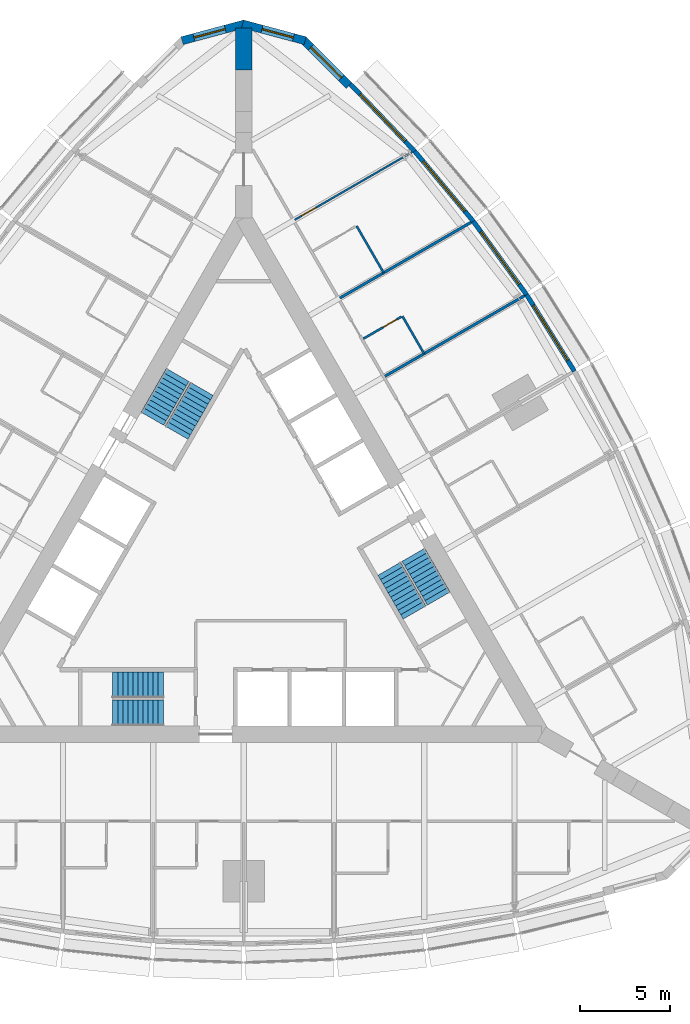
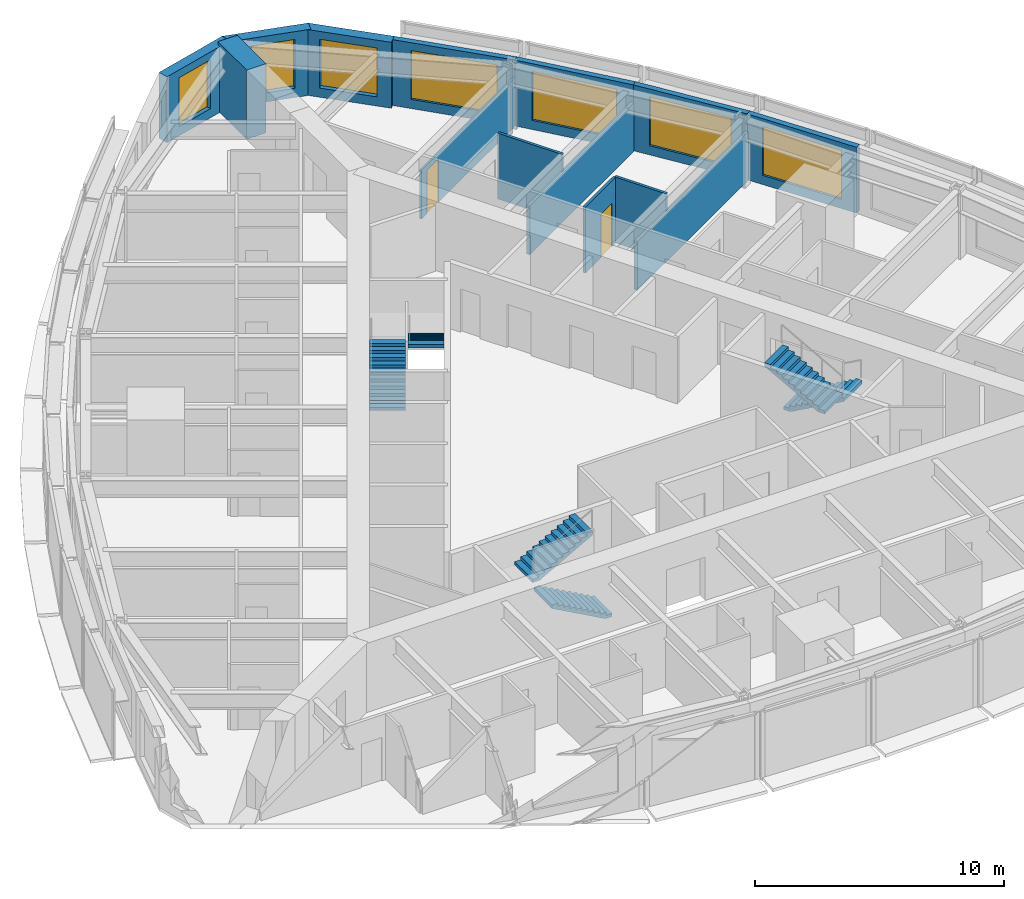
# One storey, part 13 of 14: 14 walls, 7 windows, 6 stair flights, 2 doors, 9 openings, 3 elements without a shape of their own.
"""IFC4 building model written with IfcOpenShell, lengths in metres."""

from ifc_helpers import new_model, si_unit, direction, frame, frame_2d, origin, place, context, subcontext, project, spatial, polyline, rectangle, outline, extrude, material, layer, layer_set, type_object, element, fill, aggregate, save


model = new_model("IFC4")

# Units and contexts
model_context = context("Model", 3, precision=1e-05, world=origin(), true_north=direction((0.0, 1.0)))
body_context = subcontext(model_context, "Body", "Model", "MODEL_VIEW")
ifc_project = project(units=[si_unit("LENGTHUNIT", "METRE"), si_unit("AREAUNIT", "SQUARE_METRE"), si_unit("VOLUMEUNIT", "CUBIC_METRE"), si_unit("PLANEANGLEUNIT", "RADIAN"), si_unit("MASSUNIT", "GRAM", prefix="KILO")], contexts=[model_context])

# Site, building, storey
site_placement = place(None, origin())
site = spatial("IfcSite", under=ifc_project, at=site_placement, CompositionType="ELEMENT")
building_placement = place(site_placement, origin())
building = spatial("IfcBuilding", under=site, at=building_placement, Name="Trikona Tower", CompositionType="ELEMENT")
storey_placement = place(building_placement, frame((0.0, 0.0, 114.699951171875)))
storey = spatial("IfcBuildingStorey", under=building, at=storey_placement, Name="L29", CompositionType="ELEMENT", Elevation=114.699951171875)

# Wall
ifc_material_1 = material(Name="Metal stud and cement board", Category="gypsum")
ifc_layer_1 = layer(ifc_material_1, 0.1201171875)
ifc_layer_set_1 = layer_set([ifc_layer_1], Name="Bathroom wall 120")
wall_type_1 = type_object("IfcWallType", Name="Bathroom wall 120", PredefinedType="PLUMBINGWALL", material=ifc_layer_set_1)
wall_1_placement = place(storey_placement, frame((9.993408203125, 11.543212890625, 0.0), z_axis=(0.0, 0.0, 1.0), x_axis=(-0.500001309137, 0.866024647952, 0.0)))
element("IfcWall", 1, at=wall_1_placement, inside=storey, type_object=wall_type_1, Name="Bathroom wall 2911", PredefinedType="PLUMBINGWALL", context=body_context, shape_type="SweptSolid", body=[
    extrude(rectangle(XDim=2.39990234375, YDim=0.1201171875, at=frame_2d((1.199951171875, 0.0))), origin(), (0.0, 0.0, 1.0), 3.235107421875),
])

# Wall, opening, door
wall_2_placement = place(storey_placement, frame((6.62841796875, 12.37158203125, 0.0), z_axis=(0.0, 0.0, 1.0), x_axis=(0.866005645448, 0.500034220881, 0.0)))
wall_2 = element("IfcWall", 2, at=wall_2_placement, inside=storey, type_object=wall_type_1, Name="Bathroom wall 2911", PredefinedType="PLUMBINGWALL", context=body_context, shape_type="SweptSolid", body=[
    extrude(rectangle(XDim=2.440185546875, YDim=0.1201171875, at=frame_2d((1.22021484375, 0.0))), origin(), (0.0, 0.0, 1.0), 3.235107421875),
])
opening_1_placement = place(wall_2_placement, frame((1.25, 0.0, 0.0)))
opening_1 = element("IfcOpeningElement", 3, at=opening_1_placement, cuts=wall_2, Name="Opening D2", PredefinedType="OPENING", context=body_context, shape_type="SweptSolid", body=[
    extrude(rectangle(XDim=0.89990234375, YDim=2.1298828125, at=frame_2d((0.449951171875, 1.06494140625))), frame((0.0, 0.070068359375, 0.0), z_axis=(0.0, -1.0, 0.0), x_axis=(1.0, 0.0, 0.0)), (0.0, 0.0, 1.0), 0.14013671875),
])
ifc_material_2 = material(Name="Steel door frame with solid-core timber leaf", Category="steel")
door_type_1 = type_object("IfcDoorType", Name="Bathroom door 900x2130", OperationType="SLIDING_TO_LEFT", PredefinedType="DOOR", material=ifc_material_2)
door_1_placement = place(opening_1_placement, origin())
door_1 = element("IfcDoor", 4, at=door_1_placement, inside=storey, type_object=door_type_1, Name="Bathroom door 2911", OperationType="SLIDING_TO_LEFT", OverallHeight=2.1298828125, OverallWidth=0.89990234375, PredefinedType="DOOR", context=body_context, shape_type="SweptSolid", body=[
    extrude(rectangle(XDim=0.89990234375, YDim=2.1298828125, at=frame_2d((0.449951171875, 1.06494140625))), frame((0.0, 0.02490234375, 0.0), z_axis=(0.0, -1.0, 0.0), x_axis=(1.0, 0.0, 0.0)), (0.0, 0.0, 1.0), 0.050048828125),
])
fill(opening_1, door_1)

# Wall
wall_3_placement = place(storey_placement, frame((7.75341796875, 16.0234375, 0.0), z_axis=(0.0, 0.0, 1.0), x_axis=(-0.499990139034, 0.866031096941, 0.0)))
element("IfcWall", 5, at=wall_3_placement, inside=storey, type_object=wall_type_1, Name="Bathroom wall 2912.1", PredefinedType="PLUMBINGWALL", context=body_context, shape_type="SweptSolid", body=[
    extrude(rectangle(XDim=3.0, YDim=0.1201171875, at=frame_2d((1.5, 0.0))), origin(), (0.0, 0.0, 1.0), 3.235107421875),
])

# Wall, opening, window
ifc_material_3 = material(Name="Brick-faced precast concrete", Category="masonry")
ifc_layer_2 = layer(ifc_material_3, 0.449951171875)
ifc_layer_set_2 = layer_set([ifc_layer_2], Name="Brick-faced corner wall 450")
wall_type_2 = type_object("IfcWallType", Name="Brick-faced corner wall 450", PredefinedType="SOLIDWALL", material=ifc_layer_set_2)
wall_4_placement = place(storey_placement, frame((5.8408203125, 26.39892578125, 0.0), z_axis=(0.0, 0.0, 1.0), x_axis=(-0.707106781187, 0.707106781187, 0.0)))
wall_4 = element("IfcWall", 6, at=wall_4_placement, inside=storey, type_object=wall_type_2, Name="External wall L29-20", PredefinedType="SOLIDWALL", context=body_context, shape_type="SweptSolid", body=[
    extrude(rectangle(XDim=3.586181640625, YDim=0.449951171875, at=frame_2d((1.79296875, 0.0))), origin(), (0.0, 0.0, 1.0), 3.235107421875),
])
opening_2_placement = place(wall_4_placement, frame((0.59326171875, 0.0, 0.449951171875)))
opening_2 = element("IfcOpeningElement", 7, at=opening_2_placement, cuts=wall_4, Name="Opening W2424", PredefinedType="OPENING", context=body_context, shape_type="SweptSolid", body=[
    extrude(rectangle(XDim=2.39990234375, YDim=2.39990234375, at=frame_2d((1.199951171875, 1.199951171875))), frame((0.0, 0.23486328125, 0.0), z_axis=(0.0, -1.0, 0.0), x_axis=(1.0, 0.0, 0.0)), (0.0, 0.0, 1.0), 0.469970703125),
])
ifc_material_4 = material(Name="Aluminium-framed double glazing", Category="aluminium")
window_type_1 = type_object("IfcWindowType", Name="Window 2400x2400", PartitioningType="SINGLE_PANEL", PredefinedType="WINDOW", material=ifc_material_4)
window_1_placement = place(opening_2_placement, origin())
window_1 = element("IfcWindow", 8, at=window_1_placement, inside=storey, type_object=window_type_1, Name="Window 2912", OverallHeight=2.39990234375, OverallWidth=2.39990234375, PartitioningType="SINGLE_PANEL", PredefinedType="WINDOW", context=body_context, shape_type="SweptSolid", body=[
    extrude(rectangle(XDim=2.39990234375, YDim=2.39990234375, at=frame_2d((1.199951171875, 1.199951171875))), frame((0.0, 0.030029296875, 0.0), z_axis=(0.0, -1.0, 0.0), x_axis=(1.0, 0.0, 0.0)), (0.0, 0.0, 1.0), 0.06005859375),
])
fill(opening_2, window_1)

wall_5_placement = place(storey_placement, frame((3.406005859375, 28.876708984375, 0.0), z_axis=(0.0, 0.0, 1.0), x_axis=(-0.965924653531, 0.258823421857, 0.0)))
wall_5 = element("IfcWall", 9, at=wall_5_placement, inside=storey, type_object=wall_type_2, Name="External wall L29-21", PredefinedType="SOLIDWALL", context=body_context, shape_type="SweptSolid", body=[
    extrude(outline(polyline([(3.58642578125, 0.22509765625), (3.526611328125, 0.22509765625), (3.035400390625, 0.09326171875), (3.0, 0.22509765625), (0.0, 0.22509765625), (0.0, -0.22509765625), (3.58642578125, -0.22509765625), (3.58642578125, 0.22509765625)])), origin(), (0.0, 0.0, 1.0), 3.235107421875),
])
opening_3_placement = place(wall_5_placement, frame((0.6748046875, 0.0, 0.449951171875)))
opening_3 = element("IfcOpeningElement", 10, at=opening_3_placement, cuts=wall_5, Name="Opening W1824", PredefinedType="OPENING", context=body_context, shape_type="SweptSolid", body=[
    extrude(rectangle(XDim=1.800048828125, YDim=2.39990234375, at=frame_2d((0.89990234375, 1.199951171875))), frame((0.0, 0.23486328125, 0.0), z_axis=(0.0, -1.0, 0.0), x_axis=(1.0, 0.0, 0.0)), (0.0, 0.0, 1.0), 0.469970703125),
])
ifc_material_5 = material(Name="Aluminium-framed double glazing", Category="aluminium")
window_type_2 = type_object("IfcWindowType", Name="Window 1800x2400", PartitioningType="SINGLE_PANEL", PredefinedType="WINDOW", material=ifc_material_5)
window_2_placement = place(opening_3_placement, origin())
window_2 = element("IfcWindow", 11, at=window_2_placement, inside=storey, type_object=window_type_2, Name="Window 2912", OverallHeight=2.39990234375, OverallWidth=1.800048828125, PartitioningType="SINGLE_PANEL", PredefinedType="WINDOW", context=body_context, shape_type="SweptSolid", body=[
    extrude(rectangle(XDim=1.800048828125, YDim=2.39990234375, at=frame_2d((0.89990234375, 1.199951171875))), frame((0.0, 0.030029296875, 0.0), z_axis=(0.0, -1.0, 0.0), x_axis=(1.0, 0.0, 0.0)), (0.0, 0.0, 1.0), 0.06005859375),
])
fill(opening_3, window_2)

wall_6_placement = place(storey_placement, frame((0.05810546875, 29.804931640625, 0.0), z_axis=(0.0, 0.0, 1.0), x_axis=(-0.965924653531, -0.258823421857, 0.0)))
wall_6 = element("IfcWall", 12, at=wall_6_placement, inside=storey, type_object=wall_type_2, Name="External wall L29-22", PredefinedType="SOLIDWALL", context=body_context, shape_type="SweptSolid", body=[
    extrude(outline(polyline([(3.58642578125, 0.22509765625), (0.58642578125, 0.22509765625), (0.551025390625, 0.09326171875), (0.0595703125, 0.22509765625), (0.0, 0.22509765625), (0.0, -0.22509765625), (3.58642578125, -0.22509765625), (3.58642578125, 0.22509765625)])), origin(), (0.0, 0.0, 1.0), 3.235107421875),
])
opening_4_placement = place(wall_6_placement, frame((1.111328125, 0.0, 0.449951171875)))
opening_4 = element("IfcOpeningElement", 13, at=opening_4_placement, cuts=wall_6, Name="Opening W1824", PredefinedType="OPENING", context=body_context, shape_type="SweptSolid", body=[
    extrude(rectangle(XDim=1.800048828125, YDim=2.39990234375, at=frame_2d((0.89990234375, 1.199951171875))), frame((0.0, 0.23486328125, 0.0), z_axis=(0.0, -1.0, 0.0), x_axis=(1.0, 0.0, 0.0)), (0.0, 0.0, 1.0), 0.469970703125),
])
window_3_placement = place(opening_4_placement, origin())
window_3 = element("IfcWindow", 14, at=window_3_placement, inside=storey, type_object=window_type_2, Name="Window 2913", OverallHeight=2.39990234375, OverallWidth=1.800048828125, PartitioningType="SINGLE_PANEL", PredefinedType="WINDOW", context=body_context, shape_type="SweptSolid", body=[
    extrude(rectangle(XDim=1.800048828125, YDim=2.39990234375, at=frame_2d((0.89990234375, 1.199951171875))), frame((0.0, 0.030029296875, 0.0), z_axis=(0.0, -1.0, 0.0), x_axis=(1.0, 0.0, 0.0)), (0.0, 0.0, 1.0), 0.06005859375),
])
fill(opening_4, window_3)

# Wall
ifc_material_6 = material(Name="Concrete f'c 10000 psi", Category="concrete")
ifc_layer_3 = layer(ifc_material_6, 0.89990234375)
ifc_layer_set_3 = layer_set([ifc_layer_3], Name="Buttress wall 900")
wall_type_3 = type_object("IfcWallType", Name="Buttress wall 900", PredefinedType="SHEAR", material=ifc_layer_set_3)
wall_7_placement = place(storey_placement, frame((0.0, 27.2626953125, 0.0), z_axis=(0.0, 0.0, 1.0), x_axis=(0.0, 1.0, 0.0)))
element("IfcWall", 15, at=wall_7_placement, inside=storey, type_object=wall_type_3, Name="Buttress wall 2 part 4", PredefinedType="SHEAR", context=body_context, shape_type="SweptSolid", body=[
    extrude(rectangle(XDim=2.3095703125, YDim=0.89990234375, at=frame_2d((1.15478515625, 0.0))), origin(), (0.0, 0.0, 1.0), 3.400146484375),
])

# Wall, opening, window
ifc_material_7 = material(Name="Insulated precast concrete spandrel panel", Category="concrete")
ifc_layer_4 = layer(ifc_material_7, 0.25)
ifc_layer_set_4 = layer_set([ifc_layer_4], Name="Inner skin wall 250")
wall_type_4 = type_object("IfcWallType", Name="Inner skin wall 250", PredefinedType="STANDARD", material=ifc_layer_set_4)
wall_8_placement = place(storey_placement, frame((18.31884765625, 10.5712890625, 0.0), z_axis=(0.0, 0.0, 1.0), x_axis=(-0.529990167382, 0.84800378683, 0.0)))
wall_8 = element("IfcWall", 16, at=wall_8_placement, inside=storey, type_object=wall_type_4, Name="External wall L29-16", PredefinedType="STANDARD", context=body_context, shape_type="SweptSolid", body=[
    extrude(rectangle(XDim=5.003173828125, YDim=0.25, at=frame_2d((2.50146484375, 0.0))), origin(), (0.0, 0.0, 1.0), 3.235107421875),
])
opening_5_placement = place(wall_8_placement, frame((0.701416015625, 0.0, 0.449951171875)))
opening_5 = element("IfcOpeningElement", 17, at=opening_5_placement, cuts=wall_8, Name="Opening W3624", PredefinedType="OPENING", context=body_context, shape_type="SweptSolid", body=[
    extrude(rectangle(XDim=3.60009765625, YDim=2.39990234375, at=frame_2d((1.800048828125, 1.199951171875))), frame((0.0, 0.135009765625, 0.0), z_axis=(0.0, -1.0, 0.0), x_axis=(1.0, 0.0, 0.0)), (0.0, 0.0, 1.0), 0.27001953125),
])
ifc_material_8 = material(Name="Aluminium-framed double glazing", Category="aluminium")
window_type_3 = type_object("IfcWindowType", Name="Window 3600x2400", PartitioningType="SINGLE_PANEL", PredefinedType="WINDOW", material=ifc_material_8)
window_4_placement = place(opening_5_placement, origin())
window_4 = element("IfcWindow", 18, at=window_4_placement, inside=storey, type_object=window_type_3, Name="Window 2910", OverallHeight=2.39990234375, OverallWidth=3.60009765625, PartitioningType="SINGLE_PANEL", PredefinedType="WINDOW", context=body_context, shape_type="SweptSolid", body=[
    extrude(rectangle(XDim=3.60009765625, YDim=2.39990234375, at=frame_2d((1.800048828125, 1.199951171875))), frame((0.0, 0.030029296875, 0.0), z_axis=(0.0, -1.0, 0.0), x_axis=(1.0, 0.0, 0.0)), (0.0, 0.0, 1.0), 0.06005859375),
])
fill(opening_5, window_4)

wall_9_placement = place(storey_placement, frame((15.672119140625, 14.806640625, 0.0), z_axis=(0.0, 0.0, 1.0), x_axis=(-0.587669188412, 0.809101307001, 0.0)))
wall_9 = element("IfcWall", 19, at=wall_9_placement, inside=storey, type_object=wall_type_4, Name="External wall L29-17", PredefinedType="STANDARD", context=body_context, shape_type="SweptSolid", body=[
    extrude(rectangle(XDim=5.027587890625, YDim=0.25, at=frame_2d((2.513671875, 0.0))), origin(), (0.0, 0.0, 1.0), 3.235107421875),
])
opening_6_placement = place(wall_9_placement, frame((0.7138671875, 0.0, 0.449951171875)))
opening_6 = element("IfcOpeningElement", 20, at=opening_6_placement, cuts=wall_9, Name="Opening W3624", PredefinedType="OPENING", context=body_context, shape_type="SweptSolid", body=[
    extrude(rectangle(XDim=3.60009765625, YDim=2.39990234375, at=frame_2d((1.800048828125, 1.199951171875))), frame((0.0, 0.135009765625, 0.0), z_axis=(0.0, -1.0, 0.0), x_axis=(1.0, 0.0, 0.0)), (0.0, 0.0, 1.0), 0.27001953125),
])
window_5_placement = place(opening_6_placement, origin())
window_5 = element("IfcWindow", 21, at=window_5_placement, inside=storey, type_object=window_type_3, Name="Window 2911", OverallHeight=2.39990234375, OverallWidth=3.60009765625, PartitioningType="SINGLE_PANEL", PredefinedType="WINDOW", context=body_context, shape_type="SweptSolid", body=[
    extrude(rectangle(XDim=3.60009765625, YDim=2.39990234375, at=frame_2d((1.800048828125, 1.199951171875))), frame((0.0, 0.030029296875, 0.0), z_axis=(0.0, -1.0, 0.0), x_axis=(1.0, 0.0, 0.0)), (0.0, 0.0, 1.0), 0.06005859375),
])
fill(opening_6, window_5)

wall_10_placement = place(storey_placement, frame((12.722900390625, 18.86767578125, 0.0), z_axis=(0.0, 0.0, 1.0), x_axis=(-0.641810386606, 0.766863369607, 0.0)))
wall_10 = element("IfcWall", 22, at=wall_10_placement, inside=storey, type_object=wall_type_4, Name="External wall L29-18", PredefinedType="STANDARD", context=body_context, shape_type="SweptSolid", body=[
    extrude(rectangle(XDim=5.075927734375, YDim=0.25, at=frame_2d((2.5380859375, 0.0))), origin(), (0.0, 0.0, 1.0), 3.235107421875),
])
opening_7_placement = place(wall_10_placement, frame((0.738037109375, 0.0, 0.449951171875)))
opening_7 = element("IfcOpeningElement", 23, at=opening_7_placement, cuts=wall_10, Name="Opening W3624", PredefinedType="OPENING", context=body_context, shape_type="SweptSolid", body=[
    extrude(rectangle(XDim=3.60009765625, YDim=2.39990234375, at=frame_2d((1.800048828125, 1.199951171875))), frame((0.0, 0.135009765625, 0.0), z_axis=(0.0, -1.0, 0.0), x_axis=(1.0, 0.0, 0.0)), (0.0, 0.0, 1.0), 0.27001953125),
])
window_6_placement = place(opening_7_placement, origin())
window_6 = element("IfcWindow", 24, at=window_6_placement, inside=storey, type_object=window_type_3, Name="Window 2912.1", OverallHeight=2.39990234375, OverallWidth=3.60009765625, PartitioningType="SINGLE_PANEL", PredefinedType="WINDOW", context=body_context, shape_type="SweptSolid", body=[
    extrude(rectangle(XDim=3.60009765625, YDim=2.39990234375, at=frame_2d((1.800048828125, 1.199951171875))), frame((0.0, 0.030029296875, 0.0), z_axis=(0.0, -1.0, 0.0), x_axis=(1.0, 0.0, 0.0)), (0.0, 0.0, 1.0), 0.06005859375),
])
fill(opening_7, window_6)

wall_11_placement = place(storey_placement, frame((9.470703125, 22.75390625, 0.0), z_axis=(0.0, 0.0, 1.0), x_axis=(-0.691719937936, 0.722165858693, 0.0)))
wall_11 = element("IfcWall", 25, at=wall_11_placement, inside=storey, type_object=wall_type_4, Name="External wall L29-19", PredefinedType="STANDARD", context=body_context, shape_type="SweptSolid", body=[
    extrude(rectangle(XDim=5.148193359375, YDim=0.25, at=frame_2d((2.57421875, 0.0))), origin(), (0.0, 0.0, 1.0), 3.235107421875),
])
opening_8_placement = place(wall_11_placement, frame((0.77392578125, 0.0, 0.449951171875)))
opening_8 = element("IfcOpeningElement", 26, at=opening_8_placement, cuts=wall_11, Name="Opening W3624", PredefinedType="OPENING", context=body_context, shape_type="SweptSolid", body=[
    extrude(rectangle(XDim=3.60009765625, YDim=2.39990234375, at=frame_2d((1.800048828125, 1.199951171875))), frame((0.0, 0.135009765625, 0.0), z_axis=(0.0, -1.0, 0.0), x_axis=(1.0, 0.0, 0.0)), (0.0, 0.0, 1.0), 0.27001953125),
])
window_7_placement = place(opening_8_placement, origin())
window_7 = element("IfcWindow", 27, at=window_7_placement, inside=storey, type_object=window_type_3, Name="Window 2912", OverallHeight=2.39990234375, OverallWidth=3.60009765625, PartitioningType="SINGLE_PANEL", PredefinedType="WINDOW", context=body_context, shape_type="SweptSolid", body=[
    extrude(rectangle(XDim=3.60009765625, YDim=2.39990234375, at=frame_2d((1.800048828125, 1.199951171875))), frame((0.0, 0.030029296875, 0.0), z_axis=(0.0, -1.0, 0.0), x_axis=(1.0, 0.0, 0.0)), (0.0, 0.0, 1.0), 0.06005859375),
])
fill(opening_8, window_7)

# Walls
ifc_material_9 = material(Name="Metal stud and gypsum board, 1-hour acoustic", Category="gypsum")
ifc_layer_5 = layer(ifc_material_9, 0.14990234375)
ifc_layer_set_5 = layer_set([ifc_layer_5], Name="Party wall 150")
wall_type_5 = type_object("IfcWallType", Name="Party wall 150", PredefinedType="PARTITIONING", material=ifc_layer_set_5)
wall_12_placement = place(storey_placement, frame((7.82861328125, 10.293212890625, 0.0), z_axis=(0.0, 0.0, 1.0), x_axis=(0.866027015393, 0.499997208602, 0.0)))
element("IfcWall", 28, at=wall_12_placement, inside=storey, type_object=wall_type_5, Name="Partition L29 F2 u5", PredefinedType="PARTITIONING", context=body_context, shape_type="SweptSolid", body=[
    extrude(rectangle(XDim=8.92236328125, YDim=0.14990234375, at=frame_2d((4.461181640625, 0.0))), origin(), (0.0, 0.0, 1.0), 2.38916015625),
])
wall_13_placement = place(storey_placement, frame((5.32861328125, 14.623291015625, 0.0), z_axis=(0.0, 0.0, 1.0), x_axis=(0.866011723728, 0.500023693804, 0.0)))
element("IfcWall", 29, at=wall_13_placement, inside=storey, type_object=wall_type_5, Name="Partition L29 F2 u10", PredefinedType="PARTITIONING", context=body_context, shape_type="SweptSolid", body=[
    extrude(rectangle(XDim=8.39501953125, YDim=0.14990234375, at=frame_2d((4.197509765625, 0.0))), origin(), (0.0, 0.0, 1.0), 2.38916015625),
])

# Wall, opening, door
ifc_material_10 = material(Name="Metal stud and gypsum board, acoustic", Category="gypsum")
ifc_layer_6 = layer(ifc_material_10, 0.10009765625)
ifc_layer_set_6 = layer_set([ifc_layer_6], Name="Suite partition 100")
wall_type_6 = type_object("IfcWallType", Name="Suite partition 100", PredefinedType="PARTITIONING", material=ifc_layer_set_6)
wall_14_placement = place(storey_placement, frame((2.82861328125, 18.95361328125, 0.0), z_axis=(0.0, 0.0, 1.0), x_axis=(0.866015739374, 0.500016738876, 0.0)))
wall_14 = element("IfcWall", 30, at=wall_14_placement, inside=storey, type_object=wall_type_6, Name="Suite partition L29 F2 u15", PredefinedType="PARTITIONING", context=body_context, shape_type="SweptSolid", body=[
    extrude(rectangle(XDim=7.516357421875, YDim=0.10009765625, at=frame_2d((3.75830078125, 0.0))), origin(), (0.0, 0.0, 1.0), 2.38916015625),
])
opening_9_placement = place(wall_14_placement, frame((0.449951171875, 0.0, 0.0)))
opening_9 = element("IfcOpeningElement", 31, at=opening_9_placement, cuts=wall_14, Name="Opening D13", PredefinedType="OPENING", context=body_context, shape_type="SweptSolid", body=[
    extrude(rectangle(XDim=0.89990234375, YDim=2.1298828125, at=frame_2d((0.449951171875, 1.06494140625))), frame((0.0, 0.06005859375, 0.0), z_axis=(0.0, -1.0, 0.0), x_axis=(1.0, 0.0, 0.0)), (0.0, 0.0, 1.0), 0.1201171875),
])
ifc_material_11 = material(Name="Steel door frame with solid-core timber leaf", Category="steel")
door_type_2 = type_object("IfcDoorType", Name="Suite door 900x2130", OperationType="SINGLE_SWING_LEFT", PredefinedType="DOOR", material=ifc_material_11)
door_2_placement = place(opening_9_placement, origin())
door_2 = element("IfcDoor", 32, at=door_2_placement, inside=storey, type_object=door_type_2, Name="Suite door 2912", OperationType="SINGLE_SWING_LEFT", OverallHeight=2.1298828125, OverallWidth=0.89990234375, PredefinedType="DOOR", context=body_context, shape_type="SweptSolid", body=[
    extrude(rectangle(XDim=0.89990234375, YDim=2.1298828125, at=frame_2d((0.449951171875, 1.06494140625))), frame((0.0, 0.02490234375, 0.0), z_axis=(0.0, -1.0, 0.0), x_axis=(1.0, 0.0, 0.0)), (0.0, 0.0, 1.0), 0.050048828125),
])
fill(opening_9, door_2)

# Stair, stair flights
ifc_material_12 = material(Name="Concrete f'c 5000 psi", Category="concrete")
stair_type = type_object("IfcStairType", Name="Core stair", PredefinedType="HALF_TURN_STAIR", material=ifc_material_12)
stair_1_placement = place(storey_placement, origin())
stair_1 = element("IfcStair", 33, at=stair_1_placement, inside=storey, type_object=stair_type, Name="Stair A L29", PredefinedType="HALF_TURN_STAIR")
ifc_material_13 = material(Name="Concrete f'c 5000 psi", Category="concrete")
stair_flight_type = type_object("IfcStairFlightType", Name="Core stair flight 1450", PredefinedType="STRAIGHT", material=ifc_material_13)
stair_flight_1_placement = place(storey_placement, frame((-4.449951171875, -8.351318359375, 0.0), z_axis=(0.0, 0.0, 1.0), x_axis=(-1.0, 0.0, 0.0)))
stair_flight_1 = element("IfcStairFlight", 34, at=stair_flight_1_placement, type_object=stair_flight_type, Name="ST-A flight 1", NumberOfRisers=11, NumberOfTreads=10, PredefinedType="STRAIGHT", RiserHeight=0.154545, TreadLength=0.28, context=body_context, shape_type="SweptSolid", body=[
    extrude(outline(polyline([(0.0, 0.0), (0.0, 0.154541015625), (0.280029296875, 0.154541015625), (0.280029296875, 0.30908203125), (0.56005859375, 0.30908203125), (0.56005859375, 0.463623046875), (0.840087890625, 0.463623046875), (0.840087890625, 0.6181640625), (1.1201171875, 0.6181640625), (1.1201171875, 0.772705078125), (1.39990234375, 0.772705078125), (1.39990234375, 0.92724609375), (1.679931640625, 0.92724609375), (1.679931640625, 1.081787109375), (1.9599609375, 1.081787109375), (1.9599609375, 1.236328125), (2.239990234375, 1.236328125), (2.239990234375, 1.390869140625), (2.52001953125, 1.390869140625), (2.52001953125, 1.54541015625), (2.800048828125, 1.54541015625), (2.800048828125, 1.699951171875), (2.800048828125, 1.374267578125), (0.310302734375, 0.0), (0.0, 0.0)])), frame((0.0, 0.72509765625, 0.0), z_axis=(0.0, -1.0, 0.0), x_axis=(1.0, 0.0, 0.0)), (0.0, 0.0, 1.0), 1.449951171875),
])
stair_flight_2_placement = place(storey_placement, frame((-7.25, -6.80126953125, 1.699951171875), z_axis=(0.0, 0.0, 1.0), x_axis=(1.0, 0.0, 0.0)))
stair_flight_2 = element("IfcStairFlight", 35, at=stair_flight_2_placement, type_object=stair_flight_type, Name="ST-A flight 2", NumberOfRisers=11, NumberOfTreads=10, PredefinedType="STRAIGHT", RiserHeight=0.154545, TreadLength=0.28, context=body_context, shape_type="SweptSolid", body=[
    extrude(outline(polyline([(0.0, 0.0), (0.0, 0.154541015625), (0.280029296875, 0.154541015625), (0.280029296875, 0.30908203125), (0.56005859375, 0.30908203125), (0.56005859375, 0.463623046875), (0.840087890625, 0.463623046875), (0.840087890625, 0.6181640625), (1.1201171875, 0.6181640625), (1.1201171875, 0.772705078125), (1.39990234375, 0.772705078125), (1.39990234375, 0.92724609375), (1.679931640625, 0.92724609375), (1.679931640625, 1.081787109375), (1.9599609375, 1.081787109375), (1.9599609375, 1.236328125), (2.239990234375, 1.236328125), (2.239990234375, 1.390869140625), (2.52001953125, 1.390869140625), (2.52001953125, 1.54541015625), (2.800048828125, 1.54541015625), (2.800048828125, 1.699951171875), (2.800048828125, 1.374267578125), (0.310302734375, 0.0), (0.0, 0.0)])), frame((0.0, 0.72509765625, 0.0), z_axis=(0.0, -1.0, 0.0), x_axis=(1.0, 0.0, 0.0)), (0.0, 0.0, 1.0), 1.449951171875),
])
aggregate(stair_1, [stair_flight_1, stair_flight_2])

stair_2_placement = place(storey_placement, origin())
stair_2 = element("IfcStair", 36, at=stair_2_placement, inside=storey, type_object=stair_type, Name="Stair B L29", PredefinedType="HALF_TURN_STAIR")
stair_flight_3_placement = place(storey_placement, frame((9.407470703125, 0.408447265625, 0.0), z_axis=(0.0, 0.0, 1.0), x_axis=(0.5, -0.866025403784, 0.0)))
stair_flight_3 = element("IfcStairFlight", 37, at=stair_flight_3_placement, type_object=stair_flight_type, Name="ST-B flight 1", NumberOfRisers=11, NumberOfTreads=10, PredefinedType="STRAIGHT", RiserHeight=0.154545, TreadLength=0.28, context=body_context, shape_type="SweptSolid", body=[
    extrude(outline(polyline([(0.0, 0.0), (0.0, 0.154541015625), (0.280029296875, 0.154541015625), (0.280029296875, 0.30908203125), (0.56005859375, 0.30908203125), (0.56005859375, 0.463623046875), (0.840087890625, 0.463623046875), (0.840087890625, 0.6181640625), (1.1201171875, 0.6181640625), (1.1201171875, 0.772705078125), (1.39990234375, 0.772705078125), (1.39990234375, 0.92724609375), (1.679931640625, 0.92724609375), (1.679931640625, 1.081787109375), (1.9599609375, 1.081787109375), (1.9599609375, 1.236328125), (2.239990234375, 1.236328125), (2.239990234375, 1.390869140625), (2.52001953125, 1.390869140625), (2.52001953125, 1.54541015625), (2.800048828125, 1.54541015625), (2.800048828125, 1.699951171875), (2.800048828125, 1.374267578125), (0.310302734375, 0.0), (0.0, 0.0)])), frame((0.0, 0.72509765625, 0.0), z_axis=(0.0, -1.0, 0.0), x_axis=(1.0, 0.0, 0.0)), (0.0, 0.0, 1.0), 1.449951171875),
])
stair_flight_4_placement = place(storey_placement, frame((9.465087890625, -2.79150390625, 1.699951171875), z_axis=(0.0, 0.0, 1.0), x_axis=(-0.5, 0.866025403784, 0.0)))
stair_flight_4 = element("IfcStairFlight", 38, at=stair_flight_4_placement, type_object=stair_flight_type, Name="ST-B flight 2", NumberOfRisers=11, NumberOfTreads=10, PredefinedType="STRAIGHT", RiserHeight=0.154545, TreadLength=0.28, context=body_context, shape_type="SweptSolid", body=[
    extrude(outline(polyline([(0.0, 0.0), (0.0, 0.154541015625), (0.280029296875, 0.154541015625), (0.280029296875, 0.30908203125), (0.56005859375, 0.30908203125), (0.56005859375, 0.463623046875), (0.840087890625, 0.463623046875), (0.840087890625, 0.6181640625), (1.1201171875, 0.6181640625), (1.1201171875, 0.772705078125), (1.39990234375, 0.772705078125), (1.39990234375, 0.92724609375), (1.679931640625, 0.92724609375), (1.679931640625, 1.081787109375), (1.9599609375, 1.081787109375), (1.9599609375, 1.236328125), (2.239990234375, 1.236328125), (2.239990234375, 1.390869140625), (2.52001953125, 1.390869140625), (2.52001953125, 1.54541015625), (2.800048828125, 1.54541015625), (2.800048828125, 1.699951171875), (2.800048828125, 1.374267578125), (0.310302734375, 0.0), (0.0, 0.0)])), frame((0.0, 0.72509765625, 0.0), z_axis=(0.0, -1.0, 0.0), x_axis=(1.0, 0.0, 0.0)), (0.0, 0.0, 1.0), 1.449951171875),
])
aggregate(stair_2, [stair_flight_3, stair_flight_4])

stair_3_placement = place(storey_placement, origin())
stair_3 = element("IfcStair", 39, at=stair_3_placement, inside=storey, type_object=stair_type, Name="Stair C L29", PredefinedType="HALF_TURN_STAIR")
stair_flight_5_placement = place(storey_placement, frame((-5.057373046875, 7.94287109375, 0.0), z_axis=(0.0, 0.0, 1.0), x_axis=(0.5, 0.866025403784, 0.0)))
stair_flight_5 = element("IfcStairFlight", 40, at=stair_flight_5_placement, type_object=stair_flight_type, Name="ST-C flight 1", NumberOfRisers=11, NumberOfTreads=10, PredefinedType="STRAIGHT", RiserHeight=0.154545, TreadLength=0.28, context=body_context, shape_type="SweptSolid", body=[
    extrude(outline(polyline([(0.0, 0.0), (0.0, 0.154541015625), (0.280029296875, 0.154541015625), (0.280029296875, 0.30908203125), (0.56005859375, 0.30908203125), (0.56005859375, 0.463623046875), (0.840087890625, 0.463623046875), (0.840087890625, 0.6181640625), (1.1201171875, 0.6181640625), (1.1201171875, 0.772705078125), (1.39990234375, 0.772705078125), (1.39990234375, 0.92724609375), (1.679931640625, 0.92724609375), (1.679931640625, 1.081787109375), (1.9599609375, 1.081787109375), (1.9599609375, 1.236328125), (2.239990234375, 1.236328125), (2.239990234375, 1.390869140625), (2.52001953125, 1.390869140625), (2.52001953125, 1.54541015625), (2.800048828125, 1.54541015625), (2.800048828125, 1.699951171875), (2.800048828125, 1.374267578125), (0.310302734375, 0.0), (0.0, 0.0)])), frame((0.0, 0.72509765625, 0.0), z_axis=(0.0, -1.0, 0.0), x_axis=(1.0, 0.0, 0.0)), (0.0, 0.0, 1.0), 1.449951171875),
])
stair_flight_6_placement = place(storey_placement, frame((-2.315185546875, 9.5927734375, 1.699951171875), z_axis=(0.0, 0.0, 1.0), x_axis=(-0.5, -0.866025403784, 0.0)))
stair_flight_6 = element("IfcStairFlight", 41, at=stair_flight_6_placement, type_object=stair_flight_type, Name="ST-C flight 2", NumberOfRisers=11, NumberOfTreads=10, PredefinedType="STRAIGHT", RiserHeight=0.154545, TreadLength=0.28, context=body_context, shape_type="SweptSolid", body=[
    extrude(outline(polyline([(0.0, 0.0), (0.0, 0.154541015625), (0.280029296875, 0.154541015625), (0.280029296875, 0.30908203125), (0.56005859375, 0.30908203125), (0.56005859375, 0.463623046875), (0.840087890625, 0.463623046875), (0.840087890625, 0.6181640625), (1.1201171875, 0.6181640625), (1.1201171875, 0.772705078125), (1.39990234375, 0.772705078125), (1.39990234375, 0.92724609375), (1.679931640625, 0.92724609375), (1.679931640625, 1.081787109375), (1.9599609375, 1.081787109375), (1.9599609375, 1.236328125), (2.239990234375, 1.236328125), (2.239990234375, 1.390869140625), (2.52001953125, 1.390869140625), (2.52001953125, 1.54541015625), (2.800048828125, 1.54541015625), (2.800048828125, 1.699951171875), (2.800048828125, 1.374267578125), (0.310302734375, 0.0), (0.0, 0.0)])), frame((0.0, 0.72509765625, 0.0), z_axis=(0.0, -1.0, 0.0), x_axis=(1.0, 0.0, 0.0)), (0.0, 0.0, 1.0), 1.449951171875),
])
aggregate(stair_3, [stair_flight_5, stair_flight_6])

save(model, "model.ifc")
